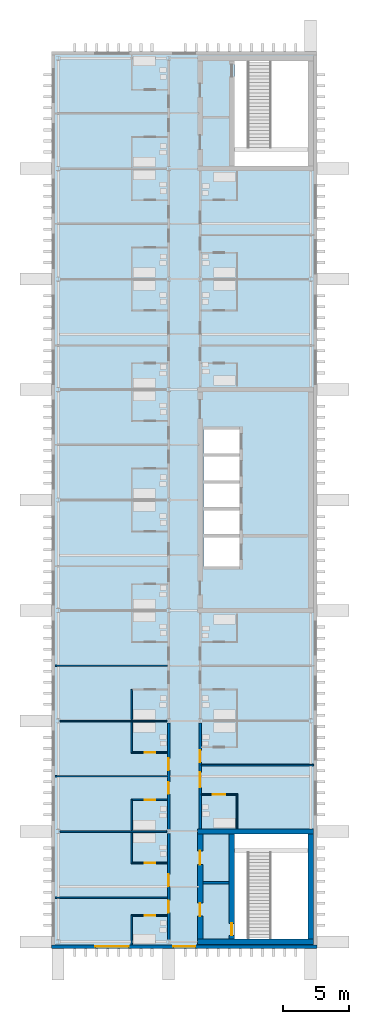
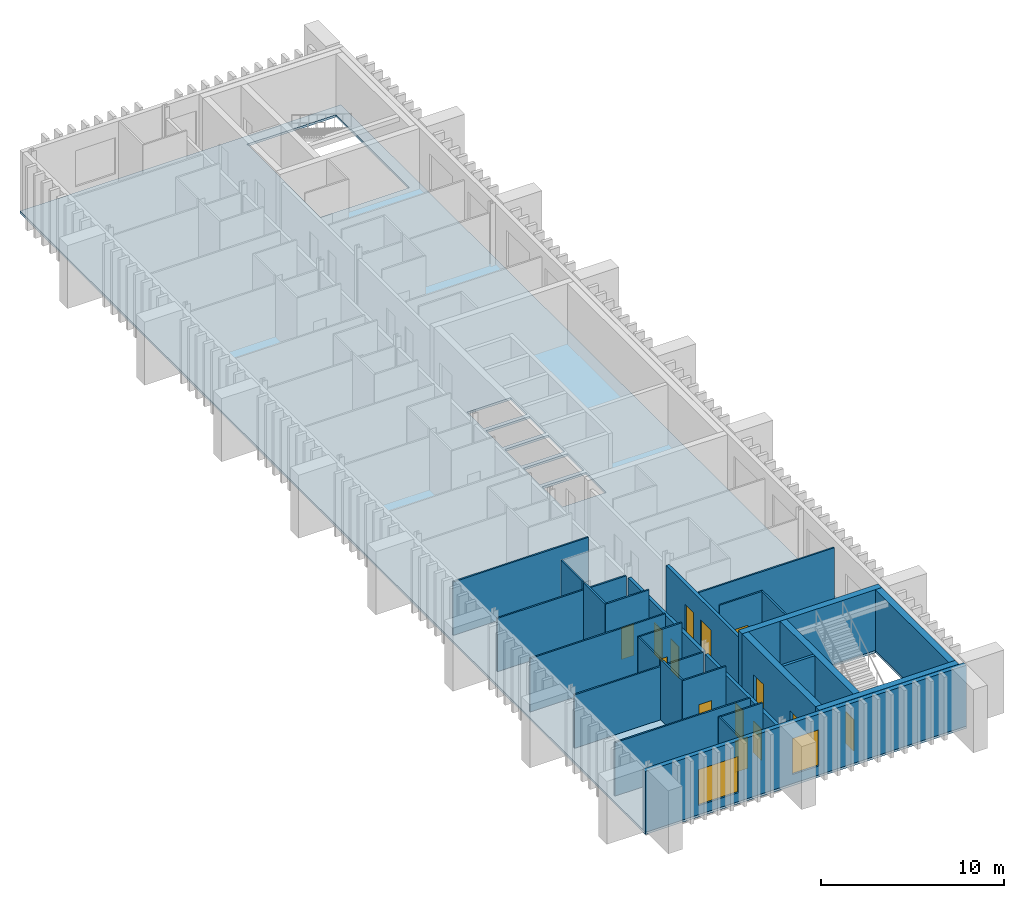
# One storey, part 4 of 11: 27 walls, 14 doors, 2 windows, 1 slab, 16 openings.
"""IFC4 building model written with IfcOpenShell, lengths in metres."""

from ifc_helpers import new_model, si_unit, direction, frame, frame_2d, origin, place, context, subcontext, project, spatial, polyline, rectangle, outline, extrude, material, layer, layer_set, type_object, element, fill, save


model = new_model("IFC4")

# Units and contexts
model_context = context("Model", 3, precision=1e-05, world=origin(), true_north=direction((0.0, 1.0)))
body_context = subcontext(model_context, "Body", "Model", "MODEL_VIEW")
ifc_project = project(units=[si_unit("LENGTHUNIT", "METRE"), si_unit("AREAUNIT", "SQUARE_METRE"), si_unit("VOLUMEUNIT", "CUBIC_METRE"), si_unit("PLANEANGLEUNIT", "RADIAN"), si_unit("MASSUNIT", "GRAM", prefix="KILO")], contexts=[model_context])

# Site, building, storey
site_placement = place(None, origin())
site = spatial("IfcSite", under=ifc_project, at=site_placement, CompositionType="ELEMENT")
building_placement = place(site_placement, origin())
building = spatial("IfcBuilding", under=site, at=building_placement, Name="Cresset Court Congress Hotel", CompositionType="ELEMENT")
storey_placement = place(building_placement, frame((0.0, 0.0, 60.60009765625)))
storey = spatial("IfcBuildingStorey", under=building, at=storey_placement, Name="L14", CompositionType="ELEMENT", Elevation=60.60009765625)

# Slab
ifc_material_1 = material(Name="Concrete C35", Category="concrete")
ifc_layer_1 = layer(ifc_material_1, 0.14990234375)
ifc_layer_set_1 = layer_set([ifc_layer_1], Name="Composite floor slab 150")
slab_type = type_object("IfcSlabType", Name="Composite floor slab 150", PredefinedType="FLOOR", material=ifc_layer_set_1)
slab_placement = place(storey_placement, frame((0.0, 0.0, -0.150146484375)))
element("IfcSlab", 1, at=slab_placement, inside=storey, type_object=slab_type, Name="A.slab.L14", PredefinedType="FLOOR", context=body_context, shape_type="SweptSolid", body=[
    extrude(outline(polyline([(156.699951171875, -0.5), (176.89990234375, -0.5), (176.89990234375, 67.699951171875), (156.699951171875, 67.699951171875), (156.699951171875, -0.5)]), holes=[polyline([(170.60009765625, 0.199951171875), (176.199951171875, 0.199951171875), (176.199951171875, 8.199951171875), (170.60009765625, 8.199951171875), (170.60009765625, 0.199951171875)]), polyline([(170.60009765625, 59.0), (176.199951171875, 59.0), (176.199951171875, 67.0), (170.60009765625, 67.0), (170.60009765625, 59.0)]), polyline([(168.25, 28.550048828125), (171.0, 28.550048828125), (171.0, 30.75), (168.25, 30.75), (168.25, 28.550048828125)]), polyline([(168.25, 31.0), (171.0, 31.0), (171.0, 32.800048828125), (168.25, 32.800048828125), (168.25, 31.0)]), polyline([(168.25, 33.050048828125), (171.0, 33.050048828125), (171.0, 34.85009765625), (168.25, 34.85009765625), (168.25, 33.050048828125)]), polyline([(168.25, 35.10009765625), (171.0, 35.10009765625), (171.0, 36.89990234375), (168.25, 36.89990234375), (168.25, 35.10009765625)]), polyline([(168.25, 37.14990234375), (171.0, 37.14990234375), (171.0, 38.949951171875), (168.25, 38.949951171875), (168.25, 37.14990234375)])]), origin(), (0.0, 0.0, 1.0), 0.150146484375),
])

# Wall, openings, doors
ifc_material_2 = material(Name="Gypsum board partition")
ifc_layer_2 = layer(ifc_material_2, 0.199951171875)
ifc_layer_set_2 = layer_set([ifc_layer_2], Name="Corridor wall 200")
wall_type_1 = type_object("IfcWallType", Name="Corridor wall 200", PredefinedType="PARTITIONING", material=ifc_layer_set_2)
wall_1_placement = place(storey_placement, frame((165.60009765625, 0.14990234375, 0.0), z_axis=(0.0, 0.0, 1.0), x_axis=(0.0, 1.0, 0.0)))
wall_1 = element("IfcWall", 2, at=wall_1_placement, inside=storey, type_object=wall_type_1, Name="A.wl.L14.070", PredefinedType="PARTITIONING", context=body_context, shape_type="SweptSolid", body=[
    extrude(rectangle(XDim=8.10009765625, YDim=0.199951171875, at=frame_2d((4.050048828125, 0.0))), origin(), (0.0, 0.0, 1.0), 3.449951171875),
])
opening_1_placement = place(wall_1_placement, frame((2.080078125, 0.0, 0.0)))
opening_1 = element("IfcOpeningElement", 3, at=opening_1_placement, cuts=wall_1, Name="Opening DA-14-02", PredefinedType="OPENING", context=body_context, shape_type="SweptSolid", body=[
    extrude(rectangle(XDim=0.89990234375, YDim=2.10009765625, at=frame_2d((0.449951171875, 1.050048828125))), frame((0.0, 0.10986328125, 0.0), z_axis=(0.0, -1.0, 0.0), x_axis=(1.0, 0.0, 0.0)), (0.0, 0.0, 1.0), 0.219970703125),
])
opening_2_placement = place(wall_1_placement, frame((4.080078125, 0.0, 0.0)))
opening_2 = element("IfcOpeningElement", 4, at=opening_2_placement, cuts=wall_1, Name="Opening DA-14-04", PredefinedType="OPENING", context=body_context, shape_type="SweptSolid", body=[
    extrude(rectangle(XDim=0.89990234375, YDim=2.10009765625, at=frame_2d((0.449951171875, 1.050048828125))), frame((0.0, 0.10986328125, 0.0), z_axis=(0.0, -1.0, 0.0), x_axis=(1.0, 0.0, 0.0)), (0.0, 0.0, 1.0), 0.219970703125),
])
ifc_material_3 = material(Name="timber", Category="wood")
door_type_1 = type_object("IfcDoorType", Name="Guest-room entry door 900x2100 FD30S", OperationType="SINGLE_SWING_LEFT", PredefinedType="DOOR", material=ifc_material_3)
door_1_placement = place(opening_1_placement, origin())
door_1 = element("IfcDoor", 5, at=door_1_placement, inside=storey, type_object=door_type_1, Name="Door DA-14-02", OperationType="SINGLE_SWING_RIGHT", OverallHeight=2.10009765625, OverallWidth=0.89990234375, PredefinedType="DOOR", context=body_context, shape_type="SweptSolid", body=[
    extrude(rectangle(XDim=0.89990234375, YDim=2.10009765625, at=frame_2d((0.449951171875, 1.050048828125))), frame((0.0, 0.02490234375, 0.0), z_axis=(0.0, -1.0, 0.0), x_axis=(1.0, 0.0, 0.0)), (0.0, 0.0, 1.0), 0.050048828125),
])
fill(opening_1, door_1)
door_2_placement = place(opening_2_placement, origin())
door_2 = element("IfcDoor", 6, at=door_2_placement, inside=storey, type_object=door_type_1, Name="Door DA-14-04", OperationType="SINGLE_SWING_LEFT", OverallHeight=2.10009765625, OverallWidth=0.89990234375, PredefinedType="DOOR", context=body_context, shape_type="SweptSolid", body=[
    extrude(rectangle(XDim=0.89990234375, YDim=2.10009765625, at=frame_2d((0.449951171875, 1.050048828125))), frame((0.0, 0.02490234375, 0.0), z_axis=(0.0, -1.0, 0.0), x_axis=(1.0, 0.0, 0.0)), (0.0, 0.0, 1.0), 0.050048828125),
])
fill(opening_2, door_2)

wall_2_placement = place(storey_placement, frame((165.60009765625, 8.550048828125, 0.0), z_axis=(0.0, 0.0, 1.0), x_axis=(0.0, 1.0, 0.0)))
wall_2 = element("IfcWall", 7, at=wall_2_placement, inside=storey, type_object=wall_type_1, Name="A.wl.L14.071", PredefinedType="PARTITIONING", context=body_context, shape_type="SweptSolid", body=[
    extrude(rectangle(XDim=8.099853515625, YDim=0.199951171875, at=frame_2d((4.0498046875, 0.0))), origin(), (0.0, 0.0, 1.0), 3.449951171875),
])
opening_3_placement = place(wall_2_placement, frame((2.699951171875, 0.0, 0.0)))
opening_3 = element("IfcOpeningElement", 8, at=opening_3_placement, cuts=wall_2, Name="Opening DA-14-06", PredefinedType="OPENING", context=body_context, shape_type="SweptSolid", body=[
    extrude(rectangle(XDim=0.89990234375, YDim=2.10009765625, at=frame_2d((0.449951171875, 1.050048828125))), frame((0.0, 0.10986328125, 0.0), z_axis=(0.0, -1.0, 0.0), x_axis=(1.0, 0.0, 0.0)), (0.0, 0.0, 1.0), 0.219970703125),
])
opening_4_placement = place(wall_2_placement, frame((4.5, 0.0, 0.0)))
opening_4 = element("IfcOpeningElement", 9, at=opening_4_placement, cuts=wall_2, Name="Opening DA-14-08", PredefinedType="OPENING", context=body_context, shape_type="SweptSolid", body=[
    extrude(rectangle(XDim=0.89990234375, YDim=2.10009765625, at=frame_2d((0.449951171875, 1.050048828125))), frame((0.0, 0.10986328125, 0.0), z_axis=(0.0, -1.0, 0.0), x_axis=(1.0, 0.0, 0.0)), (0.0, 0.0, 1.0), 0.219970703125),
])
door_3_placement = place(opening_3_placement, origin())
door_3 = element("IfcDoor", 10, at=door_3_placement, inside=storey, type_object=door_type_1, Name="Door DA-14-06", OperationType="SINGLE_SWING_RIGHT", OverallHeight=2.10009765625, OverallWidth=0.89990234375, PredefinedType="DOOR", context=body_context, shape_type="SweptSolid", body=[
    extrude(rectangle(XDim=0.89990234375, YDim=2.10009765625, at=frame_2d((0.449951171875, 1.050048828125))), frame((0.0, 0.02490234375, 0.0), z_axis=(0.0, -1.0, 0.0), x_axis=(1.0, 0.0, 0.0)), (0.0, 0.0, 1.0), 0.050048828125),
])
fill(opening_3, door_3)
door_4_placement = place(opening_4_placement, origin())
door_4 = element("IfcDoor", 11, at=door_4_placement, inside=storey, type_object=door_type_1, Name="Door DA-14-08", OperationType="SINGLE_SWING_LEFT", OverallHeight=2.10009765625, OverallWidth=0.89990234375, PredefinedType="DOOR", context=body_context, shape_type="SweptSolid", body=[
    extrude(rectangle(XDim=0.89990234375, YDim=2.10009765625, at=frame_2d((0.449951171875, 1.050048828125))), frame((0.0, 0.02490234375, 0.0), z_axis=(0.0, -1.0, 0.0), x_axis=(1.0, 0.0, 0.0)), (0.0, 0.0, 1.0), 0.050048828125),
])
fill(opening_4, door_4)

wall_3_placement = place(storey_placement, frame((168.0, 8.60009765625, 0.0), z_axis=(0.0, 0.0, 1.0), x_axis=(0.0, 1.0, 0.0)))
wall_3 = element("IfcWall", 12, at=wall_3_placement, inside=storey, type_object=wall_type_1, Name="A.wl.L14.078", PredefinedType="PARTITIONING", context=body_context, shape_type="SweptSolid", body=[
    extrude(rectangle(XDim=8.0498046875, YDim=0.199951171875, at=frame_2d((4.02490234375, 0.0))), origin(), (0.0, 0.0, 1.0), 3.449951171875),
])
opening_5_placement = place(wall_3_placement, frame((3.14501953125, 0.0, 0.0)))
opening_5 = element("IfcOpeningElement", 13, at=opening_5_placement, cuts=wall_3, Name="Opening DA-14-34", PredefinedType="OPENING", context=body_context, shape_type="SweptSolid", body=[
    extrude(rectangle(XDim=1.14990234375, YDim=2.10009765625, at=frame_2d((0.574951171875, 1.050048828125))), frame((0.0, 0.10986328125, 0.0), z_axis=(0.0, -1.0, 0.0), x_axis=(1.0, 0.0, 0.0)), (0.0, 0.0, 1.0), 0.219970703125),
])
opening_6_placement = place(wall_3_placement, frame((5.070068359375, 0.0, 0.0)))
opening_6 = element("IfcOpeningElement", 14, at=opening_6_placement, cuts=wall_3, Name="Opening DA-14-36", PredefinedType="OPENING", context=body_context, shape_type="SweptSolid", body=[
    extrude(rectangle(XDim=0.89990234375, YDim=2.10009765625, at=frame_2d((0.449951171875, 1.050048828125))), frame((0.0, 0.10986328125, 0.0), z_axis=(0.0, -1.0, 0.0), x_axis=(1.0, 0.0, 0.0)), (0.0, 0.0, 1.0), 0.219970703125),
])
ifc_material_4 = material(Name="timber", Category="wood")
door_type_2 = type_object("IfcDoorType", Name="Accessible guest-room entry door 1150x2100 FD30S", OperationType="SINGLE_SWING_LEFT", PredefinedType="DOOR", material=ifc_material_4)
door_5_placement = place(opening_5_placement, origin())
door_5 = element("IfcDoor", 15, at=door_5_placement, inside=storey, type_object=door_type_2, Name="Door DA-14-34", OperationType="SINGLE_SWING_RIGHT", OverallHeight=2.10009765625, OverallWidth=1.14990234375, PredefinedType="DOOR", context=body_context, shape_type="SweptSolid", body=[
    extrude(rectangle(XDim=1.14990234375, YDim=2.10009765625, at=frame_2d((0.574951171875, 1.050048828125))), frame((0.0, 0.02490234375, 0.0), z_axis=(0.0, -1.0, 0.0), x_axis=(1.0, 0.0, 0.0)), (0.0, 0.0, 1.0), 0.050048828125),
])
fill(opening_5, door_5)
door_6_placement = place(opening_6_placement, origin())
door_6 = element("IfcDoor", 16, at=door_6_placement, inside=storey, type_object=door_type_1, Name="Door DA-14-36", OperationType="SINGLE_SWING_LEFT", OverallHeight=2.10009765625, OverallWidth=0.89990234375, PredefinedType="DOOR", context=body_context, shape_type="SweptSolid", body=[
    extrude(rectangle(XDim=0.89990234375, YDim=2.10009765625, at=frame_2d((0.449951171875, 1.050048828125))), frame((0.0, 0.02490234375, 0.0), z_axis=(0.0, -1.0, 0.0), x_axis=(1.0, 0.0, 0.0)), (0.0, 0.0, 1.0), 0.050048828125),
])
fill(opening_6, door_6)

# Wall
ifc_material_5 = material(Name="Gypsum board partition")
ifc_layer_3 = layer(ifc_material_5, 0.10009765625)
ifc_layer_set_3 = layer_set([ifc_layer_3], Name="En-suite wall 100")
wall_type_2 = type_object("IfcWallType", Name="En-suite wall 100", PredefinedType="PARTITIONING", material=ifc_layer_set_3)
wall_4_placement = place(storey_placement, frame((162.800048828125, -0.219970703125, 0.0), z_axis=(0.0, 0.0, 1.0), x_axis=(0.0, 1.0, 0.0)))
element("IfcWall", 17, at=wall_4_placement, inside=storey, type_object=wall_type_2, Name="A.wl.L14.001", PredefinedType="PARTITIONING", context=body_context, shape_type="SweptSolid", body=[
    extrude(rectangle(XDim=2.219970703125, YDim=0.10009765625, at=frame_2d((1.10986328125, 0.0))), origin(), (0.0, 0.0, 1.0), 4.0498046875),
])

# Wall, opening, door
wall_5_placement = place(storey_placement, frame((162.75, 2.0, 0.0), z_axis=(0.0, 0.0, 1.0), x_axis=(1.0, 0.0, 0.0)))
wall_5 = element("IfcWall", 18, at=wall_5_placement, inside=storey, type_object=wall_type_2, Name="A.wl.L14.002", PredefinedType="PARTITIONING", context=body_context, shape_type="SweptSolid", body=[
    extrude(rectangle(XDim=2.75, YDim=0.10009765625, at=frame_2d((1.375, 0.0))), origin(), (0.0, 0.0, 1.0), 4.0498046875),
])
opening_7_placement = place(wall_5_placement, frame((1.030029296875, 0.0, 0.0)))
opening_7 = element("IfcOpeningElement", 19, at=opening_7_placement, cuts=wall_5, Name="Opening DA-14-01", PredefinedType="OPENING", context=body_context, shape_type="SweptSolid", body=[
    extrude(rectangle(XDim=0.800048828125, YDim=2.10009765625, at=frame_2d((0.39990234375, 1.050048828125))), frame((0.0, 0.06005859375, 0.0), z_axis=(0.0, -1.0, 0.0), x_axis=(1.0, 0.0, 0.0)), (0.0, 0.0, 1.0), 0.1201171875),
])
ifc_material_6 = material(Name="timber", Category="wood")
door_type_3 = type_object("IfcDoorType", Name="En-suite door 800x2100", OperationType="SINGLE_SWING_LEFT", PredefinedType="DOOR", material=ifc_material_6)
door_7_placement = place(opening_7_placement, origin())
door_7 = element("IfcDoor", 20, at=door_7_placement, inside=storey, type_object=door_type_3, Name="Door DA-14-01", OperationType="SINGLE_SWING_RIGHT", OverallHeight=2.10009765625, OverallWidth=0.800048828125, PredefinedType="DOOR", context=body_context, shape_type="SweptSolid", body=[
    extrude(rectangle(XDim=0.800048828125, YDim=2.10009765625, at=frame_2d((0.39990234375, 1.050048828125))), frame((0.0, 0.02490234375, 0.0), z_axis=(0.0, -1.0, 0.0), x_axis=(1.0, 0.0, 0.0)), (0.0, 0.0, 1.0), 0.050048828125),
])
fill(opening_7, door_7)

# Wall
wall_6_placement = place(storey_placement, frame((162.800048828125, 6.0, 0.0), z_axis=(0.0, 0.0, 1.0), x_axis=(0.0, 1.0, 0.0)))
element("IfcWall", 21, at=wall_6_placement, inside=storey, type_object=wall_type_2, Name="A.wl.L14.003", PredefinedType="PARTITIONING", context=body_context, shape_type="SweptSolid", body=[
    extrude(rectangle(XDim=2.324951171875, YDim=0.10009765625, at=frame_2d((1.16259765625, 0.0))), origin(), (0.0, 0.0, 1.0), 4.0498046875),
])

# Wall, opening, door
wall_7_placement = place(storey_placement, frame((162.75, 6.0, 0.0), z_axis=(0.0, 0.0, 1.0), x_axis=(1.0, 0.0, 0.0)))
wall_7 = element("IfcWall", 22, at=wall_7_placement, inside=storey, type_object=wall_type_2, Name="A.wl.L14.004", PredefinedType="PARTITIONING", context=body_context, shape_type="SweptSolid", body=[
    extrude(rectangle(XDim=2.75, YDim=0.10009765625, at=frame_2d((1.375, 0.0))), origin(), (0.0, 0.0, 1.0), 4.0498046875),
])
opening_8_placement = place(wall_7_placement, frame((1.030029296875, 0.0, 0.0)))
opening_8 = element("IfcOpeningElement", 23, at=opening_8_placement, cuts=wall_7, Name="Opening DA-14-03", PredefinedType="OPENING", context=body_context, shape_type="SweptSolid", body=[
    extrude(rectangle(XDim=0.800048828125, YDim=2.10009765625, at=frame_2d((0.39990234375, 1.050048828125))), frame((0.0, 0.06005859375, 0.0), z_axis=(0.0, -1.0, 0.0), x_axis=(1.0, 0.0, 0.0)), (0.0, 0.0, 1.0), 0.1201171875),
])
door_8_placement = place(opening_8_placement, origin())
door_8 = element("IfcDoor", 24, at=door_8_placement, inside=storey, type_object=door_type_3, Name="Door DA-14-03", OperationType="SINGLE_SWING_LEFT", OverallHeight=2.10009765625, OverallWidth=0.800048828125, PredefinedType="DOOR", context=body_context, shape_type="SweptSolid", body=[
    extrude(rectangle(XDim=0.800048828125, YDim=2.10009765625, at=frame_2d((0.39990234375, 1.050048828125))), frame((0.0, 0.02490234375, 0.0), z_axis=(0.0, -1.0, 0.0), x_axis=(1.0, 0.0, 0.0)), (0.0, 0.0, 1.0), 0.050048828125),
])
fill(opening_8, door_8)

# Wall
wall_8_placement = place(storey_placement, frame((162.800048828125, 8.47509765625, 0.0), z_axis=(0.0, 0.0, 1.0), x_axis=(0.0, 1.0, 0.0)))
element("IfcWall", 25, at=wall_8_placement, inside=storey, type_object=wall_type_2, Name="A.wl.L14.005", PredefinedType="PARTITIONING", context=body_context, shape_type="SweptSolid", body=[
    extrude(rectangle(XDim=2.324951171875, YDim=0.10009765625, at=frame_2d((1.16259765625, 0.0))), origin(), (0.0, 0.0, 1.0), 4.0498046875),
])

# Wall, opening, door
wall_9_placement = place(storey_placement, frame((162.75, 10.800048828125, 0.0), z_axis=(0.0, 0.0, 1.0), x_axis=(1.0, 0.0, 0.0)))
wall_9 = element("IfcWall", 26, at=wall_9_placement, inside=storey, type_object=wall_type_2, Name="A.wl.L14.006", PredefinedType="PARTITIONING", context=body_context, shape_type="SweptSolid", body=[
    extrude(rectangle(XDim=2.75, YDim=0.10009765625, at=frame_2d((1.375, 0.0))), origin(), (0.0, 0.0, 1.0), 4.0498046875),
])
opening_9_placement = place(wall_9_placement, frame((1.030029296875, 0.0, 0.0)))
opening_9 = element("IfcOpeningElement", 27, at=opening_9_placement, cuts=wall_9, Name="Opening DA-14-05", PredefinedType="OPENING", context=body_context, shape_type="SweptSolid", body=[
    extrude(rectangle(XDim=0.800048828125, YDim=2.10009765625, at=frame_2d((0.39990234375, 1.050048828125))), frame((0.0, 0.06005859375, 0.0), z_axis=(0.0, -1.0, 0.0), x_axis=(1.0, 0.0, 0.0)), (0.0, 0.0, 1.0), 0.1201171875),
])
door_9_placement = place(opening_9_placement, origin())
door_9 = element("IfcDoor", 28, at=door_9_placement, inside=storey, type_object=door_type_3, Name="Door DA-14-05", OperationType="SINGLE_SWING_RIGHT", OverallHeight=2.10009765625, OverallWidth=0.800048828125, PredefinedType="DOOR", context=body_context, shape_type="SweptSolid", body=[
    extrude(rectangle(XDim=0.800048828125, YDim=2.10009765625, at=frame_2d((0.39990234375, 1.050048828125))), frame((0.0, 0.02490234375, 0.0), z_axis=(0.0, -1.0, 0.0), x_axis=(1.0, 0.0, 0.0)), (0.0, 0.0, 1.0), 0.050048828125),
])
fill(opening_9, door_9)

# Wall
wall_10_placement = place(storey_placement, frame((162.800048828125, 14.39990234375, 0.0), z_axis=(0.0, 0.0, 1.0), x_axis=(0.0, 1.0, 0.0)))
element("IfcWall", 29, at=wall_10_placement, inside=storey, type_object=wall_type_2, Name="A.wl.L14.007", PredefinedType="PARTITIONING", context=body_context, shape_type="SweptSolid", body=[
    extrude(rectangle(XDim=2.3251953125, YDim=0.10009765625, at=frame_2d((1.16259765625, 0.0))), origin(), (0.0, 0.0, 1.0), 4.0498046875),
])

# Wall, opening, door
wall_11_placement = place(storey_placement, frame((162.75, 14.39990234375, 0.0), z_axis=(0.0, 0.0, 1.0), x_axis=(1.0, 0.0, 0.0)))
wall_11 = element("IfcWall", 30, at=wall_11_placement, inside=storey, type_object=wall_type_2, Name="A.wl.L14.008", PredefinedType="PARTITIONING", context=body_context, shape_type="SweptSolid", body=[
    extrude(rectangle(XDim=2.75, YDim=0.10009765625, at=frame_2d((1.375, 0.0))), origin(), (0.0, 0.0, 1.0), 4.0498046875),
])
opening_10_placement = place(wall_11_placement, frame((1.030029296875, 0.0, 0.0)))
opening_10 = element("IfcOpeningElement", 31, at=opening_10_placement, cuts=wall_11, Name="Opening DA-14-07", PredefinedType="OPENING", context=body_context, shape_type="SweptSolid", body=[
    extrude(rectangle(XDim=0.800048828125, YDim=2.10009765625, at=frame_2d((0.39990234375, 1.050048828125))), frame((0.0, 0.06005859375, 0.0), z_axis=(0.0, -1.0, 0.0), x_axis=(1.0, 0.0, 0.0)), (0.0, 0.0, 1.0), 0.1201171875),
])
door_10_placement = place(opening_10_placement, origin())
door_10 = element("IfcDoor", 32, at=door_10_placement, inside=storey, type_object=door_type_3, Name="Door DA-14-07", OperationType="SINGLE_SWING_LEFT", OverallHeight=2.10009765625, OverallWidth=0.800048828125, PredefinedType="DOOR", context=body_context, shape_type="SweptSolid", body=[
    extrude(rectangle(XDim=0.800048828125, YDim=2.10009765625, at=frame_2d((0.39990234375, 1.050048828125))), frame((0.0, 0.02490234375, 0.0), z_axis=(0.0, -1.0, 0.0), x_axis=(1.0, 0.0, 0.0)), (0.0, 0.0, 1.0), 0.050048828125),
])
fill(opening_10, door_10)

# Walls
wall_12_placement = place(storey_placement, frame((162.800048828125, 16.875, 0.0), z_axis=(0.0, 0.0, 1.0), x_axis=(0.0, 1.0, 0.0)))
element("IfcWall", 33, at=wall_12_placement, inside=storey, type_object=wall_type_2, Name="A.wl.L14.009", PredefinedType="PARTITIONING", context=body_context, shape_type="SweptSolid", body=[
    extrude(rectangle(XDim=2.324951171875, YDim=0.10009765625, at=frame_2d((1.16259765625, 0.0))), origin(), (0.0, 0.0, 1.0), 4.0498046875),
])
wall_13_placement = place(storey_placement, frame((170.800048828125, 8.60009765625, 0.0), z_axis=(0.0, 0.0, 1.0), x_axis=(0.0, 1.0, 0.0)))
element("IfcWall", 34, at=wall_13_placement, inside=storey, type_object=wall_type_2, Name="A.wl.L14.033", PredefinedType="PARTITIONING", context=body_context, shape_type="SweptSolid", body=[
    extrude(rectangle(XDim=2.599853515625, YDim=0.10009765625, at=frame_2d((1.2998046875, 0.0))), origin(), (0.0, 0.0, 1.0), 4.0498046875),
])

# Wall, opening, door
wall_14_placement = place(storey_placement, frame((170.85009765625, 11.199951171875, 0.0), z_axis=(0.0, 0.0, 1.0), x_axis=(-1.0, 0.0, 0.0)))
wall_14 = element("IfcWall", 35, at=wall_14_placement, inside=storey, type_object=wall_type_2, Name="A.wl.L14.034", PredefinedType="PARTITIONING", context=body_context, shape_type="SweptSolid", body=[
    extrude(rectangle(XDim=2.75, YDim=0.10009765625, at=frame_2d((1.375, 0.0))), origin(), (0.0, 0.0, 1.0), 4.0498046875),
])
opening_11_placement = place(wall_14_placement, frame((0.955078125, 0.0, 0.0)))
opening_11 = element("IfcOpeningElement", 36, at=opening_11_placement, cuts=wall_14, Name="Opening DA-14-33", PredefinedType="OPENING", context=body_context, shape_type="SweptSolid", body=[
    extrude(rectangle(XDim=0.949951171875, YDim=2.10009765625, at=frame_2d((0.47509765625, 1.050048828125))), frame((0.0, 0.06005859375, 0.0), z_axis=(0.0, -1.0, 0.0), x_axis=(1.0, 0.0, 0.0)), (0.0, 0.0, 1.0), 0.1201171875),
])
ifc_material_7 = material(Name="timber", Category="wood")
door_type_4 = type_object("IfcDoorType", Name="Accessible en-suite door 950x2100", OperationType="SINGLE_SWING_LEFT", PredefinedType="DOOR", material=ifc_material_7)
door_11_placement = place(opening_11_placement, origin())
door_11 = element("IfcDoor", 37, at=door_11_placement, inside=storey, type_object=door_type_4, Name="Door DA-14-33", OperationType="SINGLE_SWING_RIGHT", OverallHeight=2.10009765625, OverallWidth=0.949951171875, PredefinedType="DOOR", context=body_context, shape_type="SweptSolid", body=[
    extrude(rectangle(XDim=0.949951171875, YDim=2.10009765625, at=frame_2d((0.47509765625, 1.050048828125))), frame((0.0, 0.02490234375, 0.0), z_axis=(0.0, -1.0, 0.0), x_axis=(1.0, 0.0, 0.0)), (0.0, 0.0, 1.0), 0.050048828125),
])
fill(opening_11, door_11)

# Wall, openings, windows
ifc_material_8 = material(Name="Precast concrete C50", Category="concrete")
ifc_layer_4 = layer(ifc_material_8, 0.280029296875)
ifc_layer_set_4 = layer_set([ifc_layer_4], Name="Gable end wall 280")
wall_type_3 = type_object("IfcWallType", Name="Gable end wall 280", PredefinedType="SOLIDWALL", material=ifc_layer_set_4)
wall_15_placement = place(storey_placement, frame((156.699951171875, -0.360107421875, 0.0), z_axis=(0.0, 0.0, 1.0), x_axis=(1.0, 0.0, 0.0)))
wall_15 = element("IfcWall", 38, at=wall_15_placement, inside=storey, type_object=wall_type_3, Name="A.ew.L14.S.1", PredefinedType="SOLIDWALL", context=body_context, shape_type="SweptSolid", body=[
    extrude(rectangle(XDim=20.199951171875, YDim=0.280029296875, at=frame_2d((10.10009765625, 0.0))), origin(), (0.0, 0.0, 1.0), 4.0498046875),
])
opening_12_placement = place(wall_15_placement, frame((9.260009765625, 0.0, 0.60009765625)))
opening_12 = element("IfcOpeningElement", 39, at=opening_12_placement, cuts=wall_15, Name="Opening NA-14-25", PredefinedType="OPENING", context=body_context, shape_type="SweptSolid", body=[
    extrude(rectangle(XDim=1.679931640625, YDim=2.39990234375, at=frame_2d((0.83984375, 1.199951171875))), frame((0.0, 0.14990234375, 0.0), z_axis=(0.0, -1.0, 0.0), x_axis=(1.0, 0.0, 0.0)), (0.0, 0.0, 1.0), 0.300048828125),
])
opening_13_placement = place(wall_15_placement, frame((3.340087890625, 0.0, 0.60009765625)))
opening_13 = element("IfcOpeningElement", 40, at=opening_13_placement, cuts=wall_15, Name="Opening NA-14-26", PredefinedType="OPENING", context=body_context, shape_type="SweptSolid", body=[
    extrude(rectangle(XDim=2.52001953125, YDim=2.39990234375, at=frame_2d((1.260009765625, 1.199951171875))), frame((0.0, 0.14990234375, 0.0), z_axis=(0.0, -1.0, 0.0), x_axis=(1.0, 0.0, 0.0)), (0.0, 0.0, 1.0), 0.300048828125),
])
ifc_material_9 = material(Name="Aluminium and glass", Category="aluminium")
window_type_1 = type_object("IfcWindowType", Name="Window 1680x2400", PartitioningType="SINGLE_PANEL", PredefinedType="WINDOW", material=ifc_material_9)
window_1_placement = place(opening_12_placement, origin())
window_1 = element("IfcWindow", 41, at=window_1_placement, inside=storey, type_object=window_type_1, Name="Window NA-14-25", OverallHeight=2.39990234375, OverallWidth=1.679931640625, PartitioningType="SINGLE_PANEL", PredefinedType="WINDOW", context=body_context, shape_type="SweptSolid", body=[
    extrude(rectangle(XDim=1.679931640625, YDim=2.39990234375, at=frame_2d((0.83984375, 1.199951171875))), frame((0.0, 0.030029296875, 0.0), z_axis=(0.0, -1.0, 0.0), x_axis=(1.0, 0.0, 0.0)), (0.0, 0.0, 1.0), 0.06005859375),
])
fill(opening_12, window_1)
ifc_material_10 = material(Name="Aluminium and glass", Category="aluminium")
window_type_2 = type_object("IfcWindowType", Name="Window 2520x2400", PartitioningType="SINGLE_PANEL", PredefinedType="WINDOW", material=ifc_material_10)
window_2_placement = place(opening_13_placement, origin())
window_2 = element("IfcWindow", 42, at=window_2_placement, inside=storey, type_object=window_type_2, Name="Window NA-14-26", OverallHeight=2.39990234375, OverallWidth=2.52001953125, PartitioningType="SINGLE_PANEL", PredefinedType="WINDOW", context=body_context, shape_type="SweptSolid", body=[
    extrude(rectangle(XDim=2.52001953125, YDim=2.39990234375, at=frame_2d((1.260009765625, 1.199951171875))), frame((0.0, 0.030029296875, 0.0), z_axis=(0.0, -1.0, 0.0), x_axis=(1.0, 0.0, 0.0)), (0.0, 0.0, 1.0), 0.06005859375),
])
fill(opening_13, window_2)

# Walls
ifc_material_11 = material(Name="Gypsum board partition")
ifc_layer_5 = layer(ifc_material_11, 0.10009765625)
ifc_layer_set_5 = layer_set([ifc_layer_5], Name="Guest-room partition 100")
wall_type_4 = type_object("IfcWallType", Name="Guest-room partition 100", PredefinedType="PARTITIONING", material=ifc_layer_set_5)
for number, where, z_axis, x_axis, name in (
    (43, (157.35009765625, 8.39990234375, 0.0), (0.0, 0.0, 1.0), (1.0, 0.0, 0.0), "A.wl.L14.049"),
    (44, (157.35009765625, 16.800048828125, 0.0), (0.0, 0.0, 1.0), (1.0, 0.0, 0.0), "A.wl.L14.050"),
):
    element("IfcWall", number, at=place(storey_placement, frame(where, z_axis=z_axis, x_axis=x_axis)), inside=storey, type_object=wall_type_4, Name=name, PredefinedType="PARTITIONING", context=body_context, shape_type="SweptSolid", body=[
        extrude(rectangle(XDim=8.099853515625, YDim=0.10009765625, at=frame_2d((4.0498046875, 0.0))), origin(), (0.0, 0.0, 1.0), 3.5498046875),
    ])
for number, where, z_axis, x_axis, name in (
    (45, (156.97998046875, 3.360107421875, 0.0), (0.0, 0.0, 1.0), (1.0, 0.0, 0.0), "A.wl.L14.058"),
    (46, (156.97998046875, 12.60009765625, 0.0), (0.0, 0.0, 1.0), (1.0, 0.0, 0.0), "A.wl.L14.059"),
    (47, (156.97998046875, 21.0, 0.0), (0.0, 0.0, 1.0), (1.0, 0.0, 0.0), "A.wl.L14.060"),
    (48, (168.10009765625, 13.43994140625, 0.0), (0.0, 0.0, 1.0), (1.0, 0.0, 0.0), "A.wl.L14.066"),
):
    element("IfcWall", number, at=place(storey_placement, frame(where, z_axis=z_axis, x_axis=x_axis)), inside=storey, type_object=wall_type_4, Name=name, PredefinedType="PARTITIONING", context=body_context, shape_type="SweptSolid", body=[
        extrude(rectangle(XDim=8.52001953125, YDim=0.10009765625, at=frame_2d((4.260009765625, 0.0))), origin(), (0.0, 0.0, 1.0), 3.5498046875),
    ])
ifc_material_12 = material(Name="Concrete block wall", Category="concrete")
ifc_layer_6 = layer(ifc_material_12, 0.175048828125)
ifc_layer_set_6 = layer_set([ifc_layer_6], Name="Riser shaft wall 175")
wall_type_5 = type_object("IfcWallType", Name="Riser shaft wall 175", PredefinedType="PARTITIONING", material=ifc_layer_set_6)
wall_16_placement = place(storey_placement, frame((168.199951171875, 4.5, 0.0), z_axis=(0.0, 0.0, 1.0), x_axis=(1.0, 0.0, 0.0)))
element("IfcWall", 49, at=wall_16_placement, inside=storey, type_object=wall_type_5, Name="A.wl.L14.083", PredefinedType="PARTITIONING", context=body_context, shape_type="SweptSolid", body=[
    extrude(rectangle(XDim=2.0, YDim=0.175048828125, at=frame_2d((1.0, 0.0))), origin(), (0.0, 0.0, 1.0), 4.0498046875),
])
ifc_material_13 = material(Name="Concrete C50", Category="concrete")
ifc_layer_7 = layer(ifc_material_13, 0.39990234375)
ifc_layer_set_7 = layer_set([ifc_layer_7], Name="Stair core wall 400")
wall_type_6 = type_object("IfcWallType", Name="Stair core wall 400", PredefinedType="SOLIDWALL", material=ifc_layer_set_7)
for number, where, z_axis, x_axis, name in (
    (50, (167.800048828125, 0.0, 0.0), (0.0, 0.0, 1.0), (1.0, 0.0, 0.0), "A.cw.ST-A1.L14.S"),
    (51, (167.800048828125, 8.39990234375, 0.0), (0.0, 0.0, 1.0), (1.0, 0.0, 0.0), "A.cw.ST-A1.L14.N"),
):
    element("IfcWall", number, at=place(storey_placement, frame(where, z_axis=z_axis, x_axis=x_axis)), inside=storey, type_object=wall_type_6, Name=name, PredefinedType="SOLIDWALL", context=body_context, shape_type="SweptSolid", body=[
        extrude(rectangle(XDim=8.800048828125, YDim=0.39990234375, at=frame_2d((4.39990234375, 0.0))), origin(), (0.0, 0.0, 1.0), 4.0498046875),
    ])

# Wall, openings, doors
wall_17_placement = place(storey_placement, frame((168.0, 0.199951171875, 0.0), z_axis=(0.0, 0.0, 1.0), x_axis=(0.0, 1.0, 0.0)))
wall_17 = element("IfcWall", 52, at=wall_17_placement, inside=storey, type_object=wall_type_6, Name="A.cw.ST-A1.L14.W", PredefinedType="SOLIDWALL", context=body_context, shape_type="SweptSolid", body=[
    extrude(rectangle(XDim=8.0, YDim=0.39990234375, at=frame_2d((4.0, 0.0))), origin(), (0.0, 0.0, 1.0), 4.0498046875),
])
opening_14_placement = place(wall_17_placement, frame((1.75, 0.0, 0.0)))
opening_14 = element("IfcOpeningElement", 53, at=opening_14_placement, cuts=wall_17, Name="Opening DA-14-50", PredefinedType="OPENING", context=body_context, shape_type="SweptSolid", body=[
    extrude(rectangle(XDim=1.0, YDim=2.10009765625, at=frame_2d((0.5, 1.050048828125))), frame((0.0, 0.2099609375, 0.0), z_axis=(0.0, -1.0, 0.0), x_axis=(1.0, 0.0, 0.0)), (0.0, 0.0, 1.0), 0.419921875),
])
opening_15_placement = place(wall_17_placement, frame((5.675048828125, 0.0, 0.0)))
opening_15 = element("IfcOpeningElement", 54, at=opening_15_placement, cuts=wall_17, Name="Opening DA-14-51", PredefinedType="OPENING", context=body_context, shape_type="SweptSolid", body=[
    extrude(rectangle(XDim=1.050048828125, YDim=2.10009765625, at=frame_2d((0.52490234375, 1.050048828125))), frame((0.0, 0.2099609375, 0.0), z_axis=(0.0, -1.0, 0.0), x_axis=(1.0, 0.0, 0.0)), (0.0, 0.0, 1.0), 0.419921875),
])
ifc_material_14 = material(Name="steel", Category="steel")
door_type_5 = type_object("IfcDoorType", Name="Housekeeping room door 1050x2100 FD30", OperationType="SINGLE_SWING_LEFT", PredefinedType="DOOR", material=ifc_material_14)
door_12_placement = place(opening_15_placement, origin())
door_12 = element("IfcDoor", 55, at=door_12_placement, inside=storey, type_object=door_type_5, Name="Door DA-14-51", OperationType="SINGLE_SWING_LEFT", OverallHeight=2.10009765625, OverallWidth=1.050048828125, PredefinedType="DOOR", context=body_context, shape_type="SweptSolid", body=[
    extrude(rectangle(XDim=1.050048828125, YDim=2.10009765625, at=frame_2d((0.52490234375, 1.050048828125))), frame((0.0, 0.02490234375, 0.0), z_axis=(0.0, -1.0, 0.0), x_axis=(1.0, 0.0, 0.0)), (0.0, 0.0, 1.0), 0.050048828125),
])
fill(opening_15, door_12)
ifc_material_15 = material(Name="steel", Category="steel")
door_type_6 = type_object("IfcDoorType", Name="Lobby door 1000x2100 FD60", OperationType="SINGLE_SWING_LEFT", PredefinedType="DOOR", material=ifc_material_15)
door_13_placement = place(opening_14_placement, origin())
door_13 = element("IfcDoor", 56, at=door_13_placement, inside=storey, type_object=door_type_6, Name="Door DA-14-50", OperationType="SINGLE_SWING_RIGHT", OverallHeight=2.10009765625, OverallWidth=1.0, PredefinedType="DOOR", context=body_context, shape_type="SweptSolid", body=[
    extrude(rectangle(XDim=1.0, YDim=2.10009765625, at=frame_2d((0.5, 1.050048828125))), frame((0.0, 0.02490234375, 0.0), z_axis=(0.0, -1.0, 0.0), x_axis=(1.0, 0.0, 0.0)), (0.0, 0.0, 1.0), 0.050048828125),
])
fill(opening_14, door_13)

# Wall
wall_18_placement = place(storey_placement, frame((176.39990234375, 0.199951171875, 0.0), z_axis=(0.0, 0.0, 1.0), x_axis=(0.0, 1.0, 0.0)))
element("IfcWall", 57, at=wall_18_placement, inside=storey, type_object=wall_type_6, Name="A.cw.ST-A1.L14.E", PredefinedType="SOLIDWALL", context=body_context, shape_type="SweptSolid", body=[
    extrude(rectangle(XDim=8.0, YDim=0.39990234375, at=frame_2d((4.0, 0.0))), origin(), (0.0, 0.0, 1.0), 4.0498046875),
])

# Wall, opening, door
wall_19_placement = place(storey_placement, frame((170.39990234375, 0.199951171875, 0.0), z_axis=(0.0, 0.0, 1.0), x_axis=(0.0, 1.0, 0.0)))
wall_19 = element("IfcWall", 58, at=wall_19_placement, inside=storey, type_object=wall_type_6, Name="A.wl.L14.082", PredefinedType="SOLIDWALL", context=body_context, shape_type="SweptSolid", body=[
    extrude(rectangle(XDim=8.0, YDim=0.39990234375, at=frame_2d((4.0, 0.0))), origin(), (0.0, 0.0, 1.0), 4.0498046875),
])
opening_16_placement = place(wall_19_placement, frame((0.300048828125, 0.0, 0.0)))
opening_16 = element("IfcOpeningElement", 59, at=opening_16_placement, cuts=wall_19, Name="Opening DA-14-49", PredefinedType="OPENING", context=body_context, shape_type="SweptSolid", body=[
    extrude(rectangle(XDim=0.89990234375, YDim=2.10009765625, at=frame_2d((0.449951171875, 1.050048828125))), frame((0.0, 0.2099609375, 0.0), z_axis=(0.0, -1.0, 0.0), x_axis=(1.0, 0.0, 0.0)), (0.0, 0.0, 1.0), 0.419921875),
])
ifc_material_16 = material(Name="steel", Category="steel")
door_type_7 = type_object("IfcDoorType", Name="Stair door 900x2100 FD60", OperationType="SINGLE_SWING_LEFT", PredefinedType="DOOR", material=ifc_material_16)
door_14_placement = place(opening_16_placement, origin())
door_14 = element("IfcDoor", 60, at=door_14_placement, inside=storey, type_object=door_type_7, Name="Door DA-14-49", OperationType="SINGLE_SWING_LEFT", OverallHeight=2.10009765625, OverallWidth=0.89990234375, PredefinedType="DOOR", context=body_context, shape_type="SweptSolid", body=[
    extrude(rectangle(XDim=0.89990234375, YDim=2.10009765625, at=frame_2d((0.449951171875, 1.050048828125))), frame((0.0, 0.02490234375, 0.0), z_axis=(0.0, -1.0, 0.0), x_axis=(1.0, 0.0, 0.0)), (0.0, 0.0, 1.0), 0.050048828125),
])
fill(opening_16, door_14)

save(model, "model.ifc")
